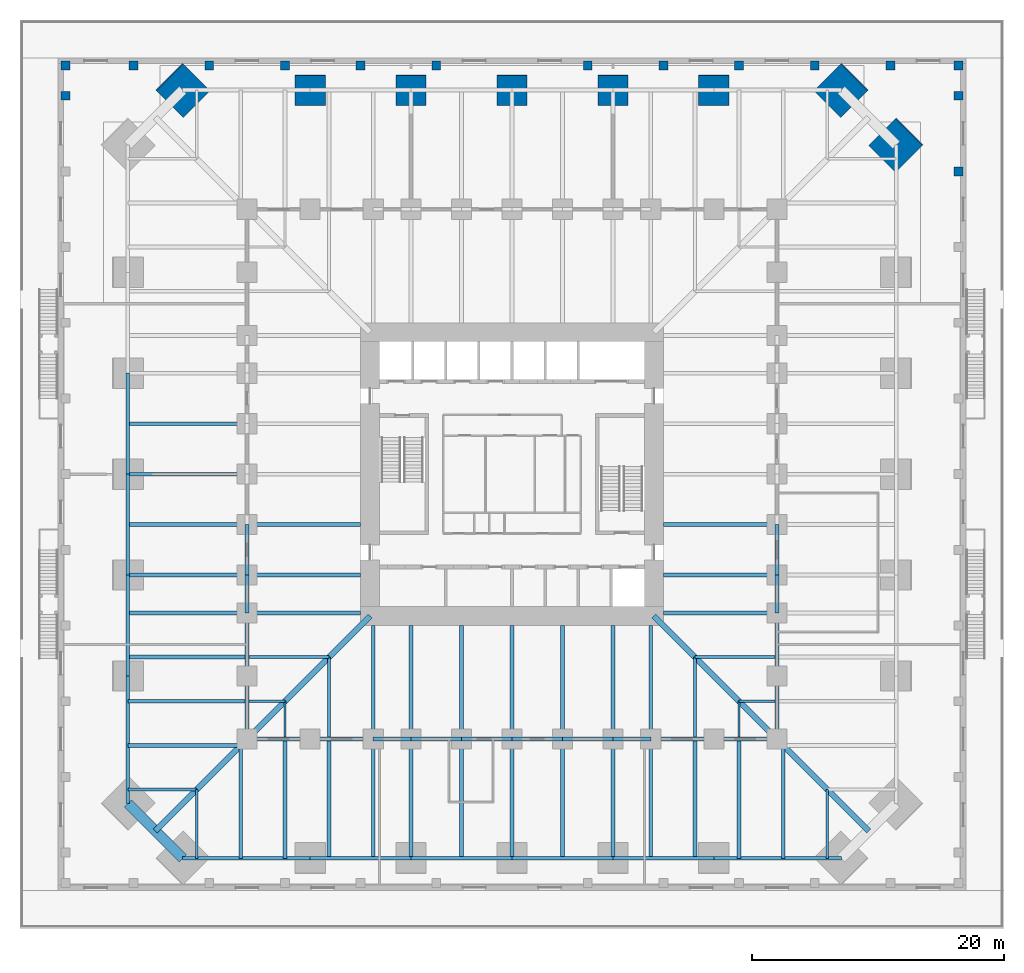
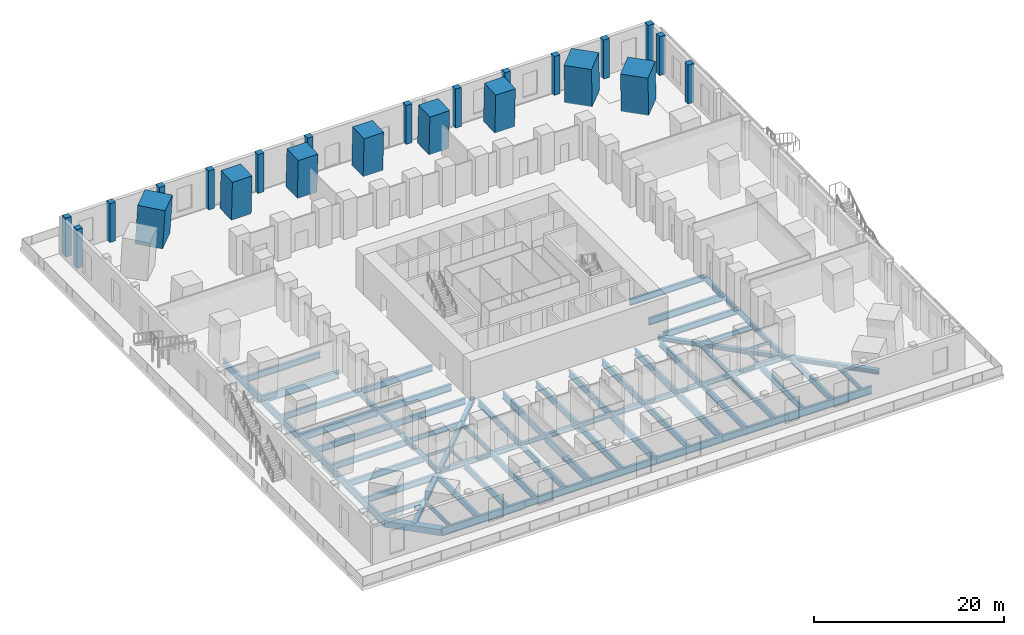
# One storey, part 7 of 20: 78 beams, 23 columns.
"""IFC4 building model written with IfcOpenShell, lengths in metres."""

from ifc_helpers import new_model, si_unit, direction, frame, origin, origin_2d, place, context, subcontext, project, spatial, rectangle, hollow_rectangle, i_section, extrude, material, material_profile, profile_set, type_object, element, save


model = new_model("IFC4")

# Units and contexts
model_context = context("Model", 3, precision=1e-05, world=origin(), true_north=direction((0.0, 1.0)))
body_context = subcontext(model_context, "Body", "Model", "MODEL_VIEW")
ifc_project = project(units=[si_unit("LENGTHUNIT", "METRE"), si_unit("AREAUNIT", "SQUARE_METRE"), si_unit("VOLUMEUNIT", "CUBIC_METRE"), si_unit("PLANEANGLEUNIT", "RADIAN"), si_unit("MASSUNIT", "GRAM", prefix="KILO")], contexts=[model_context])

# Site, building, storey
site_placement = place(None, origin())
site = spatial("IfcSite", under=ifc_project, at=site_placement, CompositionType="ELEMENT")
building_placement = place(site_placement, origin())
building = spatial("IfcBuilding", under=site, at=building_placement, Name="Peilmerk Tower", CompositionType="ELEMENT")
storey_placement = place(building_placement, frame((0.0, 0.0, 11.0)))
storey = spatial("IfcBuildingStorey", under=building, at=storey_placement, Name="L02", CompositionType="ELEMENT", Elevation=11.0)

# Columns
ifc_material_1 = material(Name="Concrete C90/105", Category="concrete")
ifc_material_profile_1 = material_profile(ifc_material_1, rectangle(XDim=3.0, YDim=3.0, at=origin_2d()), Name="RC 3000x3000")
ifc_profile_set_1 = profile_set([ifc_material_profile_1], Name="Concrete C90/105")
column_type_1 = type_object("IfcColumnType", Name="MC1 3000x3000 encased mega column", PredefinedType="COLUMN", material=ifc_profile_set_1)
for number, where, z_axis, x_axis, name in (
    (1, (26.103271484375, 30.453125, 0.0), (-0.040266662877, -0.04021791389, 0.998379244207), (0.706678361564, -0.707534941396, 0.0), "Mega column MC1 NE_N L02"),
    (2, (30.453125, 26.103271484375, 0.0), (-0.04021791389, -0.040266662877, 0.998379244207), (0.707534941396, -0.706678361564, 0.0), "Mega column MC1 NE_E L02"),
    (3, (-26.103271484375, 30.453125, 0.0), (0.040266662877, -0.04021791389, 0.998379244207), (0.706678361564, 0.707534941396, 0.0), "Mega column MC1 NW_N L02"),
):
    element("IfcColumn", number, at=place(storey_placement, frame(where, z_axis=z_axis, x_axis=x_axis)), inside=storey, type_object=column_type_1, Name=name, PredefinedType="COLUMN", context=body_context, shape_type="SweptSolid", body=[
        extrude(rectangle(XDim=3.0, YDim=3.0, at=origin_2d()), origin(), (0.0, 0.0, 1.0), 5.008056640625),
    ])
ifc_material_2 = material(Name="Concrete C55/67", Category="concrete")
ifc_material_profile_2 = material_profile(ifc_material_2, rectangle(XDim=0.699951171875, YDim=0.699951171875, at=origin_2d()), Name="RC 700x700")
ifc_profile_set_2 = profile_set([ifc_material_profile_2], Name="Concrete C55/67")
column_type_2 = type_object("IfcColumnType", Name="PC1 700x700 podium column", PredefinedType="COLUMN", material=ifc_profile_set_2)
for number, where, z_axis, x_axis, name in (
    (4, (-35.39990234375, 30.0, 0.0), (0.0, 0.0, 1.0), (1.0, 0.0, 0.0), "Podium column ring A L02"),
    (5, (-35.39990234375, 32.39990234375, 0.0), (0.0, 0.0, 1.0), (1.0, 0.0, 0.0), "Podium column ring A L02"),
    (6, (-30.0, 32.39990234375, 0.0), (0.0, 0.0, 1.0), (1.0, 0.0, 0.0), "Podium column ring A L02"),
    (7, (-24.0, 32.39990234375, 0.0), (0.0, 0.0, 1.0), (1.0, 0.0, 0.0), "Podium column ring A L02"),
    (8, (-18.0, 32.39990234375, 0.0), (0.0, 0.0, 1.0), (1.0, 0.0, 0.0), "Podium column ring A L02"),
    (9, (-12.0, 32.39990234375, 0.0), (0.0, 0.0, 1.0), (1.0, 0.0, 0.0), "Podium column ring A L02"),
    (10, (-6.0, 32.39990234375, 0.0), (0.0, 0.0, 1.0), (1.0, 0.0, 0.0), "Podium column ring A L02"),
    (11, (6.0, 32.39990234375, 0.0), (0.0, 0.0, 1.0), (1.0, 0.0, 0.0), "Podium column ring A L02"),
    (12, (12.0, 32.39990234375, 0.0), (0.0, 0.0, 1.0), (1.0, 0.0, 0.0), "Podium column ring A L02"),
    (13, (18.0, 32.39990234375, 0.0), (0.0, 0.0, 1.0), (1.0, 0.0, 0.0), "Podium column ring A L02"),
    (14, (24.0, 32.39990234375, 0.0), (0.0, 0.0, 1.0), (1.0, 0.0, 0.0), "Podium column ring A L02"),
    (15, (30.0, 32.39990234375, 0.0), (0.0, 0.0, 1.0), (1.0, 0.0, 0.0), "Podium column ring A L02"),
    (16, (35.39990234375, 24.0, 0.0), (0.0, 0.0, 1.0), (1.0, 0.0, 0.0), "Podium column ring A L02"),
    (17, (35.39990234375, 30.0, 0.0), (0.0, 0.0, 1.0), (1.0, 0.0, 0.0), "Podium column ring A L02"),
    (18, (35.39990234375, 32.39990234375, 0.0), (0.0, 0.0, 1.0), (1.0, 0.0, 0.0), "Podium column ring A L02"),
):
    element("IfcColumn", number, at=place(storey_placement, frame(where, z_axis=z_axis, x_axis=x_axis)), inside=storey, type_object=column_type_2, Name=name, PredefinedType="COLUMN", context=body_context, shape_type="SweptSolid", body=[
        extrude(rectangle(XDim=0.699951171875, YDim=0.699951171875, at=origin_2d()), origin(), (0.0, 0.0, 1.0), 5.0),
    ])
ifc_material_profile_3 = material_profile(ifc_material_1, rectangle(XDim=2.39990234375, YDim=2.39990234375, at=origin_2d()), Name="RC 2400x2400")
ifc_profile_set_3 = profile_set([ifc_material_profile_3], Name="Concrete C90/105")
column_type_3 = type_object("IfcColumnType", Name="SC1 2400x2400 encased perimeter column", PredefinedType="COLUMN", material=ifc_profile_set_3)
for number, where, z_axis, x_axis, name in (
    (19, (0.0, 30.453125, 0.0), (0.0, -0.040250558339, 0.999189617917), (1.0, 0.0, 0.0), "Perimeter column N+0 L02"),
    (20, (8.0, 30.453125, 0.0), (0.0, -0.040250558339, 0.999189617917), (1.0, 0.0, 0.0), "Perimeter column N-8 L02"),
    (21, (-8.0, 30.453125, 0.0), (0.0, -0.040250558339, 0.999189617917), (1.0, 0.0, 0.0), "Perimeter column N+8 L02"),
    (22, (16.0, 30.453125, 0.0), (0.0, -0.040250558339, 0.999189617917), (1.0, 0.0, 0.0), "Perimeter column N-16 L02"),
    (23, (-16.0, 30.453125, 0.0), (0.0, -0.040250558339, 0.999189617917), (1.0, 0.0, 0.0), "Perimeter column N+16 L02"),
):
    element("IfcColumn", number, at=place(storey_placement, frame(where, z_axis=z_axis, x_axis=x_axis)), inside=storey, type_object=column_type_3, Name=name, PredefinedType="COLUMN", context=body_context, shape_type="SweptSolid", body=[
        extrude(rectangle(XDim=2.39990234375, YDim=2.39990234375, at=origin_2d()), origin(), (0.0, 0.0, 1.0), 5.004150390625),
    ])

# Beams
ifc_material_3 = material(Name="Steel S355", Category="steel")
ifc_material_profile_4 = material_profile(ifc_material_3, i_section(OverallWidth=0.219970703125, OverallDepth=0.60009765625, WebThickness=0.011962890625, FlangeThickness=0.01904296875, at=origin_2d()), Name="IPE 600")
ifc_profile_set_4 = profile_set([ifc_material_profile_4], Name="Steel S355")
beam_type_1 = type_object("IfcBeamType", Name="B10 IPE 600 floor beam", PredefinedType="BEAM", material=ifc_profile_set_4)
for number, where, z_axis, x_axis, name in (
    (24, (14.5, -14.5, -0.5), (0.0, -1.0, 0.0), (1.0, 0.0, 0.0), "Floor beam L02"),
    (25, (14.5, -14.5, -0.5), (1.0, 0.0, 0.0), (0.0, 1.0, 0.0), "Floor beam L02"),
    (26, (-14.5, -14.5, -0.5), (0.0, -1.0, 0.0), (1.0, 0.0, 0.0), "Floor beam L02"),
    (27, (-14.5, -14.5, -0.5), (-1.0, 0.0, 0.0), (0.0, -1.0, 0.0), "Floor beam L02"),
):
    element("IfcBeam", number, at=place(storey_placement, frame(where, z_axis=z_axis, x_axis=x_axis)), inside=storey, type_object=beam_type_1, Name=name, PredefinedType="BEAM", context=body_context, shape_type="SweptSolid", body=[
        extrude(i_section(OverallWidth=0.219970703125, OverallDepth=0.60009765625, WebThickness=0.011962890625, FlangeThickness=0.01904296875, at=origin_2d()), origin(), (0.0, 0.0, 1.0), 6.347412109375),
    ])
ifc_material_profile_5 = material_profile(ifc_material_3, i_section(OverallWidth=0.169921875, OverallDepth=0.360107421875, WebThickness=0.008056640625, FlangeThickness=0.0126953125, at=origin_2d()), Name="IPE 360")
ifc_profile_set_5 = profile_set([ifc_material_profile_5], Name="Steel S355")
beam_type_2 = type_object("IfcBeamType", Name="B11 IPE 360 floor beam", PredefinedType="BEAM", material=ifc_profile_set_5)
for number, where, z_axis, x_axis, name in (
    (28, (18.0, -18.0, -0.3798828125), (0.0, -1.0, 0.0), (1.0, 0.0, 0.0), "Floor beam L02"),
    (29, (18.0, -18.0, -0.3798828125), (1.0, 0.0, 0.0), (0.0, 1.0, 0.0), "Floor beam L02"),
    (30, (-18.0, -18.0, -0.3798828125), (0.0, -1.0, 0.0), (1.0, 0.0, 0.0), "Floor beam L02"),
    (31, (-18.0, -18.0, -0.3798828125), (-1.0, 0.0, 0.0), (0.0, -1.0, 0.0), "Floor beam L02"),
):
    element("IfcBeam", number, at=place(storey_placement, frame(where, z_axis=z_axis, x_axis=x_axis)), inside=storey, type_object=beam_type_2, Name=name, PredefinedType="BEAM", context=body_context, shape_type="SweptSolid", body=[
        extrude(i_section(OverallWidth=0.169921875, OverallDepth=0.360107421875, WebThickness=0.008056640625, FlangeThickness=0.0126953125, at=origin_2d()), origin(), (0.0, 0.0, 1.0), 2.847412109375),
    ])
ifc_material_profile_6 = material_profile(ifc_material_3, i_section(OverallWidth=0.2099609375, OverallDepth=0.550048828125, WebThickness=0.010986328125, FlangeThickness=0.01708984375, at=origin_2d()), Name="IPE 550")
ifc_profile_set_6 = profile_set([ifc_material_profile_6], Name="Steel S355")
beam_type_3 = type_object("IfcBeamType", Name="B12 IPE 550 floor beam", PredefinedType="BEAM", material=ifc_profile_set_6)
for number, where, z_axis, x_axis, name in (
    (32, (25.0, -25.0, -0.47509765625), (0.0, -1.0, 0.0), (1.0, 0.0, 0.0), "Floor beam L02"),
    (33, (-25.0, -25.0, -0.47509765625), (0.0, -1.0, 0.0), (1.0, 0.0, 0.0), "Floor beam L02"),
    (34, (-25.0, -25.0, -0.47509765625), (-1.0, 0.0, 0.0), (0.0, -1.0, 0.0), "Floor beam L02"),
):
    element("IfcBeam", number, at=place(storey_placement, frame(where, z_axis=z_axis, x_axis=x_axis)), inside=storey, type_object=beam_type_3, Name=name, PredefinedType="BEAM", context=body_context, shape_type="SweptSolid", body=[
        extrude(i_section(OverallWidth=0.2099609375, OverallDepth=0.550048828125, WebThickness=0.010986328125, FlangeThickness=0.01708984375, at=origin_2d()), origin(), (0.0, 0.0, 1.0), 5.453125),
    ])
ifc_material_profile_7 = material_profile(ifc_material_3, i_section(OverallWidth=0.300048828125, OverallDepth=1.0, WebThickness=0.01904296875, FlangeThickness=0.035888671875, at=origin_2d()), Name="HEB 1000")
ifc_profile_set_7 = profile_set([ifc_material_profile_7], Name="Steel S355")
beam_type_4 = type_object("IfcBeamType", Name="B13 HEB 1000 edge beam", PredefinedType="SPANDREL", material=ifc_profile_set_7)
for number, where, z_axis, x_axis, name in (
    (35, (-26.103271484375, -30.453125, -0.699951171875), (1.0, 0.0, 0.0), (0.0, 1.0, 0.0), "Edge beam L02"),
    (36, (16.0, -30.453125, -0.699951171875), (1.0, 0.0, 0.0), (0.0, 1.0, 0.0), "Edge beam L02"),
    (37, (-30.453125, -16.0, -0.699951171875), (0.0, -1.0, 0.0), (1.0, 0.0, 0.0), "Edge beam L02"),
):
    element("IfcBeam", number, at=place(storey_placement, frame(where, z_axis=z_axis, x_axis=x_axis)), inside=storey, type_object=beam_type_4, Name=name, PredefinedType="SPANDREL", context=body_context, shape_type="SweptSolid", body=[
        extrude(i_section(OverallWidth=0.300048828125, OverallDepth=1.0, WebThickness=0.01904296875, FlangeThickness=0.035888671875, at=origin_2d()), origin(), (0.0, 0.0, 1.0), 10.103271484375),
    ])
ifc_material_profile_8 = material_profile(ifc_material_3, i_section(OverallWidth=0.300048828125, OverallDepth=0.989990234375, WebThickness=0.0166015625, FlangeThickness=0.031005859375, at=origin_2d()), Name="HEA 1000")
ifc_profile_set_8 = profile_set([ifc_material_profile_8], Name="Steel S355")
beam_type_5 = type_object("IfcBeamType", Name="B14 HEA 1000 floor girder", PredefinedType="BEAM", material=ifc_profile_set_8)
for number, where, z_axis, x_axis, name in (
    (38, (-8.0, -21.0, -0.695068359375), (0.0, -1.0, 0.0), (1.0, 0.0, 0.0), "Floor girder L02"),
    (39, (0.0, -21.0, -0.695068359375), (0.0, -1.0, 0.0), (1.0, 0.0, 0.0), "Floor girder L02"),
    (40, (8.0, -21.0, -0.695068359375), (0.0, -1.0, 0.0), (1.0, 0.0, 0.0), "Floor girder L02"),
    (41, (-21.0, 0.0, -0.695068359375), (-1.0, 0.0, 0.0), (0.0, -1.0, 0.0), "Floor girder L02"),
    (42, (-21.0, -8.0, -0.695068359375), (-1.0, 0.0, 0.0), (0.0, -1.0, 0.0), "Floor girder L02"),
):
    element("IfcBeam", number, at=place(storey_placement, frame(where, z_axis=z_axis, x_axis=x_axis)), inside=storey, type_object=beam_type_5, Name=name, PredefinedType="BEAM", context=body_context, shape_type="SweptSolid", body=[
        extrude(i_section(OverallWidth=0.300048828125, OverallDepth=0.989990234375, WebThickness=0.0166015625, FlangeThickness=0.031005859375, at=origin_2d()), origin(), (0.0, 0.0, 1.0), 9.453125),
    ])
ifc_material_profile_9 = material_profile(ifc_material_3, i_section(OverallWidth=0.302001953125, OverallDepth=0.909912109375, WebThickness=0.02099609375, FlangeThickness=0.0400390625, at=origin_2d()), Name="HEM 900")
ifc_profile_set_9 = profile_set([ifc_material_profile_9], Name="Steel S355")
beam_type_6 = type_object("IfcBeamType", Name="B2 HEM 900 edge beam", PredefinedType="SPANDREL", material=ifc_profile_set_9)
for number, where, z_axis, x_axis, name in (
    (43, (-16.0, -30.453125, -0.655029296875), (1.0, 0.0, 0.0), (0.0, 1.0, 0.0), "Edge beam L02"),
    (44, (-8.0, -30.453125, -0.655029296875), (1.0, 0.0, 0.0), (0.0, 1.0, 0.0), "Edge beam L02"),
    (45, (0.0, -30.453125, -0.655029296875), (1.0, 0.0, 0.0), (0.0, 1.0, 0.0), "Edge beam L02"),
    (46, (8.0, -30.453125, -0.655029296875), (1.0, 0.0, 0.0), (0.0, 1.0, 0.0), "Edge beam L02"),
    (47, (-30.453125, 8.0, -0.655029296875), (0.0, -1.0, 0.0), (1.0, 0.0, 0.0), "Edge beam L02"),
    (48, (-30.453125, 0.0, -0.655029296875), (0.0, -1.0, 0.0), (1.0, 0.0, 0.0), "Edge beam L02"),
    (49, (-30.453125, -8.0, -0.655029296875), (0.0, -1.0, 0.0), (1.0, 0.0, 0.0), "Edge beam L02"),
):
    element("IfcBeam", number, at=place(storey_placement, frame(where, z_axis=z_axis, x_axis=x_axis)), inside=storey, type_object=beam_type_6, Name=name, PredefinedType="SPANDREL", context=body_context, shape_type="SweptSolid", body=[
        extrude(i_section(OverallWidth=0.302001953125, OverallDepth=0.909912109375, WebThickness=0.02099609375, FlangeThickness=0.0400390625, at=origin_2d()), origin(), (0.0, 0.0, 1.0), 8.0),
    ])
ifc_material_profile_10 = material_profile(ifc_material_3, i_section(OverallWidth=0.300048828125, OverallDepth=0.7900390625, WebThickness=0.014892578125, FlangeThickness=0.028076171875, at=origin_2d()), Name="HEA 800")
ifc_profile_set_10 = profile_set([ifc_material_profile_10], Name="Steel S355")
beam_type_7 = type_object("IfcBeamType", Name="B3 HEA 800 floor beam", PredefinedType="BEAM", material=ifc_profile_set_10)
for number, where, z_axis, x_axis, name in (
    (50, (12.0, -11.0, -0.594970703125), (1.0, 0.0, 0.0), (0.0, 1.0, 0.0), "Floor beam L02"),
    (51, (12.0, -4.0, -0.594970703125), (1.0, 0.0, 0.0), (0.0, 1.0, 0.0), "Floor beam L02"),
    (52, (-11.0, -12.0, -0.594970703125), (0.0, -1.0, 0.0), (1.0, 0.0, 0.0), "Floor beam L02"),
):
    element("IfcBeam", number, at=place(storey_placement, frame(where, z_axis=z_axis, x_axis=x_axis)), inside=storey, type_object=beam_type_7, Name=name, PredefinedType="BEAM", context=body_context, shape_type="SweptSolid", body=[
        extrude(i_section(OverallWidth=0.300048828125, OverallDepth=0.7900390625, WebThickness=0.014892578125, FlangeThickness=0.028076171875, at=origin_2d()), origin(), (0.0, 0.0, 1.0), 9.0),
    ])
beam_1_placement = place(storey_placement, frame((-11.0, -21.0, -0.594970703125), z_axis=(0.0, -1.0, 0.0), x_axis=(1.0, 0.0, 0.0)))
element("IfcBeam", 53, at=beam_1_placement, inside=storey, type_object=beam_type_7, Name="Floor beam L02", PredefinedType="BEAM", context=body_context, shape_type="SweptSolid", body=[
    extrude(i_section(OverallWidth=0.300048828125, OverallDepth=0.7900390625, WebThickness=0.014892578125, FlangeThickness=0.028076171875, at=origin_2d()), origin(), (0.0, 0.0, 1.0), 9.453125),
])
beam_2_placement = place(storey_placement, frame((-4.0, -12.0, -0.594970703125), z_axis=(0.0, -1.0, 0.0), x_axis=(1.0, 0.0, 0.0)))
element("IfcBeam", 54, at=beam_2_placement, inside=storey, type_object=beam_type_7, Name="Floor beam L02", PredefinedType="BEAM", context=body_context, shape_type="SweptSolid", body=[
    extrude(i_section(OverallWidth=0.300048828125, OverallDepth=0.7900390625, WebThickness=0.014892578125, FlangeThickness=0.028076171875, at=origin_2d()), origin(), (0.0, 0.0, 1.0), 9.0),
])
beam_3_placement = place(storey_placement, frame((-4.0, -21.0, -0.594970703125), z_axis=(0.0, -1.0, 0.0), x_axis=(1.0, 0.0, 0.0)))
element("IfcBeam", 55, at=beam_3_placement, inside=storey, type_object=beam_type_7, Name="Floor beam L02", PredefinedType="BEAM", context=body_context, shape_type="SweptSolid", body=[
    extrude(i_section(OverallWidth=0.300048828125, OverallDepth=0.7900390625, WebThickness=0.014892578125, FlangeThickness=0.028076171875, at=origin_2d()), origin(), (0.0, 0.0, 1.0), 9.453125),
])
beam_4_placement = place(storey_placement, frame((4.0, -12.0, -0.594970703125), z_axis=(0.0, -1.0, 0.0), x_axis=(1.0, 0.0, 0.0)))
element("IfcBeam", 56, at=beam_4_placement, inside=storey, type_object=beam_type_7, Name="Floor beam L02", PredefinedType="BEAM", context=body_context, shape_type="SweptSolid", body=[
    extrude(i_section(OverallWidth=0.300048828125, OverallDepth=0.7900390625, WebThickness=0.014892578125, FlangeThickness=0.028076171875, at=origin_2d()), origin(), (0.0, 0.0, 1.0), 9.0),
])
beam_5_placement = place(storey_placement, frame((4.0, -21.0, -0.594970703125), z_axis=(0.0, -1.0, 0.0), x_axis=(1.0, 0.0, 0.0)))
element("IfcBeam", 57, at=beam_5_placement, inside=storey, type_object=beam_type_7, Name="Floor beam L02", PredefinedType="BEAM", context=body_context, shape_type="SweptSolid", body=[
    extrude(i_section(OverallWidth=0.300048828125, OverallDepth=0.7900390625, WebThickness=0.014892578125, FlangeThickness=0.028076171875, at=origin_2d()), origin(), (0.0, 0.0, 1.0), 9.453125),
])
beam_6_placement = place(storey_placement, frame((11.0, -12.0, -0.594970703125), z_axis=(0.0, -1.0, 0.0), x_axis=(1.0, 0.0, 0.0)))
element("IfcBeam", 58, at=beam_6_placement, inside=storey, type_object=beam_type_7, Name="Floor beam L02", PredefinedType="BEAM", context=body_context, shape_type="SweptSolid", body=[
    extrude(i_section(OverallWidth=0.300048828125, OverallDepth=0.7900390625, WebThickness=0.014892578125, FlangeThickness=0.028076171875, at=origin_2d()), origin(), (0.0, 0.0, 1.0), 9.0),
])
for number, where, z_axis, x_axis, name in (
    (59, (11.0, -21.0, -0.594970703125), (0.0, -1.0, 0.0), (1.0, 0.0, 0.0), "Floor beam L02"),
    (60, (-21.0, 4.0, -0.594970703125), (-1.0, 0.0, 0.0), (0.0, -1.0, 0.0), "Floor beam L02"),
):
    element("IfcBeam", number, at=place(storey_placement, frame(where, z_axis=z_axis, x_axis=x_axis)), inside=storey, type_object=beam_type_7, Name=name, PredefinedType="BEAM", context=body_context, shape_type="SweptSolid", body=[
        extrude(i_section(OverallWidth=0.300048828125, OverallDepth=0.7900390625, WebThickness=0.014892578125, FlangeThickness=0.028076171875, at=origin_2d()), origin(), (0.0, 0.0, 1.0), 9.453125),
    ])
beam_7_placement = place(storey_placement, frame((-12.0, -4.0, -0.594970703125), z_axis=(-1.0, 0.0, 0.0), x_axis=(0.0, -1.0, 0.0)))
element("IfcBeam", 61, at=beam_7_placement, inside=storey, type_object=beam_type_7, Name="Floor beam L02", PredefinedType="BEAM", context=body_context, shape_type="SweptSolid", body=[
    extrude(i_section(OverallWidth=0.300048828125, OverallDepth=0.7900390625, WebThickness=0.014892578125, FlangeThickness=0.028076171875, at=origin_2d()), origin(), (0.0, 0.0, 1.0), 9.0),
])
beam_8_placement = place(storey_placement, frame((-21.0, -4.0, -0.594970703125), z_axis=(-1.0, 0.0, 0.0), x_axis=(0.0, -1.0, 0.0)))
element("IfcBeam", 62, at=beam_8_placement, inside=storey, type_object=beam_type_7, Name="Floor beam L02", PredefinedType="BEAM", context=body_context, shape_type="SweptSolid", body=[
    extrude(i_section(OverallWidth=0.300048828125, OverallDepth=0.7900390625, WebThickness=0.014892578125, FlangeThickness=0.028076171875, at=origin_2d()), origin(), (0.0, 0.0, 1.0), 9.453125),
])
beam_9_placement = place(storey_placement, frame((-12.0, -11.0, -0.594970703125), z_axis=(-1.0, 0.0, 0.0), x_axis=(0.0, -1.0, 0.0)))
element("IfcBeam", 63, at=beam_9_placement, inside=storey, type_object=beam_type_7, Name="Floor beam L02", PredefinedType="BEAM", context=body_context, shape_type="SweptSolid", body=[
    extrude(i_section(OverallWidth=0.300048828125, OverallDepth=0.7900390625, WebThickness=0.014892578125, FlangeThickness=0.028076171875, at=origin_2d()), origin(), (0.0, 0.0, 1.0), 9.0),
])
beam_10_placement = place(storey_placement, frame((-21.0, -11.0, -0.594970703125), z_axis=(-1.0, 0.0, 0.0), x_axis=(0.0, -1.0, 0.0)))
element("IfcBeam", 64, at=beam_10_placement, inside=storey, type_object=beam_type_7, Name="Floor beam L02", PredefinedType="BEAM", context=body_context, shape_type="SweptSolid", body=[
    extrude(i_section(OverallWidth=0.300048828125, OverallDepth=0.7900390625, WebThickness=0.014892578125, FlangeThickness=0.028076171875, at=origin_2d()), origin(), (0.0, 0.0, 1.0), 9.453125),
])
for number, where, z_axis, x_axis, name in (
    (65, (14.5, -21.152587890625, -0.594970703125), (0.0, -1.0, 0.0), (1.0, 0.0, 0.0), "Floor beam L02"),
    (66, (18.0, -21.152587890625, -0.594970703125), (0.0, -1.0, 0.0), (1.0, 0.0, 0.0), "Floor beam L02"),
):
    element("IfcBeam", number, at=place(storey_placement, frame(where, z_axis=z_axis, x_axis=x_axis)), inside=storey, type_object=beam_type_7, Name=name, PredefinedType="BEAM", context=body_context, shape_type="SweptSolid", body=[
        extrude(i_section(OverallWidth=0.300048828125, OverallDepth=0.7900390625, WebThickness=0.014892578125, FlangeThickness=0.028076171875, at=origin_2d()), origin(), (0.0, 0.0, 1.0), 9.300537109375),
    ])
beam_11_placement = place(storey_placement, frame((21.5, -21.5, -0.594970703125), z_axis=(0.0, -1.0, 0.0), x_axis=(1.0, 0.0, 0.0)))
element("IfcBeam", 67, at=beam_11_placement, inside=storey, type_object=beam_type_7, Name="Floor beam L02", PredefinedType="BEAM", context=body_context, shape_type="SweptSolid", body=[
    extrude(i_section(OverallWidth=0.300048828125, OverallDepth=0.7900390625, WebThickness=0.014892578125, FlangeThickness=0.028076171875, at=origin_2d()), origin(), (0.0, 0.0, 1.0), 8.953125),
])
for number, where, z_axis, x_axis, name in (
    (68, (-14.5, -21.152587890625, -0.594970703125), (0.0, -1.0, 0.0), (1.0, 0.0, 0.0), "Floor beam L02"),
    (69, (-21.152587890625, -14.5, -0.594970703125), (-1.0, 0.0, 0.0), (0.0, -1.0, 0.0), "Floor beam L02"),
    (70, (-18.0, -21.152587890625, -0.594970703125), (0.0, -1.0, 0.0), (1.0, 0.0, 0.0), "Floor beam L02"),
    (71, (-21.152587890625, -18.0, -0.594970703125), (-1.0, 0.0, 0.0), (0.0, -1.0, 0.0), "Floor beam L02"),
):
    element("IfcBeam", number, at=place(storey_placement, frame(where, z_axis=z_axis, x_axis=x_axis)), inside=storey, type_object=beam_type_7, Name=name, PredefinedType="BEAM", context=body_context, shape_type="SweptSolid", body=[
        extrude(i_section(OverallWidth=0.300048828125, OverallDepth=0.7900390625, WebThickness=0.014892578125, FlangeThickness=0.028076171875, at=origin_2d()), origin(), (0.0, 0.0, 1.0), 9.300537109375),
    ])
for number, where, z_axis, x_axis, name in (
    (72, (-21.5, -21.5, -0.594970703125), (0.0, -1.0, 0.0), (1.0, 0.0, 0.0), "Floor beam L02"),
    (73, (-21.5, -21.5, -0.594970703125), (-1.0, 0.0, 0.0), (0.0, -1.0, 0.0), "Floor beam L02"),
):
    element("IfcBeam", number, at=place(storey_placement, frame(where, z_axis=z_axis, x_axis=x_axis)), inside=storey, type_object=beam_type_7, Name=name, PredefinedType="BEAM", context=body_context, shape_type="SweptSolid", body=[
        extrude(i_section(OverallWidth=0.300048828125, OverallDepth=0.7900390625, WebThickness=0.014892578125, FlangeThickness=0.028076171875, at=origin_2d()), origin(), (0.0, 0.0, 1.0), 8.953125),
    ])
ifc_material_profile_11 = material_profile(ifc_material_3, i_section(OverallWidth=0.300048828125, OverallDepth=0.889892578125, WebThickness=0.01611328125, FlangeThickness=0.030029296875, at=origin_2d()), Name="HEA 900")
ifc_profile_set_11 = profile_set([ifc_material_profile_11], Name="Steel S355")
beam_type_8 = type_object("IfcBeamType", Name="B4 HEA 900 floor beam", PredefinedType="BEAM", material=ifc_profile_set_11)
for number, where, z_axis, x_axis, name in (
    (74, (12.0, -8.0, -0.64501953125), (1.0, 0.0, 0.0), (0.0, 1.0, 0.0), "Floor girder L02"),
    (75, (-8.0, -12.0, -0.64501953125), (0.0, -1.0, 0.0), (1.0, 0.0, 0.0), "Floor girder L02"),
    (76, (0.0, -12.0, -0.64501953125), (0.0, -1.0, 0.0), (1.0, 0.0, 0.0), "Floor girder L02"),
    (77, (8.0, -12.0, -0.64501953125), (0.0, -1.0, 0.0), (1.0, 0.0, 0.0), "Floor girder L02"),
    (78, (-12.0, -8.0, -0.64501953125), (-1.0, 0.0, 0.0), (0.0, -1.0, 0.0), "Floor girder L02"),
):
    element("IfcBeam", number, at=place(storey_placement, frame(where, z_axis=z_axis, x_axis=x_axis)), inside=storey, type_object=beam_type_8, Name=name, PredefinedType="BEAM", context=body_context, shape_type="SweptSolid", body=[
        extrude(i_section(OverallWidth=0.300048828125, OverallDepth=0.889892578125, WebThickness=0.01611328125, FlangeThickness=0.030029296875, at=origin_2d()), origin(), (0.0, 0.0, 1.0), 9.0),
    ])
ifc_material_profile_12 = material_profile(ifc_material_3, i_section(OverallWidth=0.304931640625, OverallDepth=0.6201171875, WebThickness=0.02099609375, FlangeThickness=0.0400390625, at=origin_2d()), Name="HEM 600")
ifc_profile_set_12 = profile_set([ifc_material_profile_12], Name="Steel S355")
beam_type_9 = type_object("IfcBeamType", Name="B6 HEM 600 ring girder", PredefinedType="BEAM", material=ifc_profile_set_12)
for number, where, z_axis, x_axis, name in (
    (79, (21.0, -21.0, -0.510009765625), (0.0, 1.0, 0.0), (-1.0, 0.0, 0.0), "Ring girder L02"),
    (80, (21.0, -16.0, -0.510009765625), (0.0, 1.0, 0.0), (-1.0, 0.0, 0.0), "Ring girder L02"),
):
    element("IfcBeam", number, at=place(storey_placement, frame(where, z_axis=z_axis, x_axis=x_axis)), inside=storey, type_object=beam_type_9, Name=name, PredefinedType="BEAM", context=body_context, shape_type="SweptSolid", body=[
        extrude(i_section(OverallWidth=0.304931640625, OverallDepth=0.6201171875, WebThickness=0.02099609375, FlangeThickness=0.0400390625, at=origin_2d()), origin(), (0.0, 0.0, 1.0), 5.0),
    ])
beam_12_placement = place(storey_placement, frame((21.0, -8.0, -0.510009765625), z_axis=(0.0, 1.0, 0.0), x_axis=(-1.0, 0.0, 0.0)))
element("IfcBeam", 81, at=beam_12_placement, inside=storey, type_object=beam_type_9, Name="Ring girder L02", PredefinedType="BEAM", context=body_context, shape_type="SweptSolid", body=[
    extrude(i_section(OverallWidth=0.304931640625, OverallDepth=0.6201171875, WebThickness=0.02099609375, FlangeThickness=0.0400390625, at=origin_2d()), origin(), (0.0, 0.0, 1.0), 4.0),
])
for number, where, z_axis, x_axis, name in (
    (82, (-21.0, -21.0, -0.510009765625), (1.0, 0.0, 0.0), (0.0, 1.0, 0.0), "Ring girder L02"),
    (83, (-16.0, -21.0, -0.510009765625), (1.0, 0.0, 0.0), (0.0, 1.0, 0.0), "Ring girder L02"),
):
    element("IfcBeam", number, at=place(storey_placement, frame(where, z_axis=z_axis, x_axis=x_axis)), inside=storey, type_object=beam_type_9, Name=name, PredefinedType="BEAM", context=body_context, shape_type="SweptSolid", body=[
        extrude(i_section(OverallWidth=0.304931640625, OverallDepth=0.6201171875, WebThickness=0.02099609375, FlangeThickness=0.0400390625, at=origin_2d()), origin(), (0.0, 0.0, 1.0), 5.0),
    ])
for number, where, z_axis, x_axis, name in (
    (84, (-8.0, -21.0, -0.510009765625), (1.0, 0.0, 0.0), (0.0, 1.0, 0.0), "Ring girder L02"),
    (85, (-4.0, -21.0, -0.510009765625), (1.0, 0.0, 0.0), (0.0, 1.0, 0.0), "Ring girder L02"),
    (86, (0.0, -21.0, -0.510009765625), (1.0, 0.0, 0.0), (0.0, 1.0, 0.0), "Ring girder L02"),
    (87, (4.0, -21.0, -0.510009765625), (1.0, 0.0, 0.0), (0.0, 1.0, 0.0), "Ring girder L02"),
):
    element("IfcBeam", number, at=place(storey_placement, frame(where, z_axis=z_axis, x_axis=x_axis)), inside=storey, type_object=beam_type_9, Name=name, PredefinedType="BEAM", context=body_context, shape_type="SweptSolid", body=[
        extrude(i_section(OverallWidth=0.304931640625, OverallDepth=0.6201171875, WebThickness=0.02099609375, FlangeThickness=0.0400390625, at=origin_2d()), origin(), (0.0, 0.0, 1.0), 4.0),
    ])
for number, where, z_axis, x_axis, name in (
    (88, (11.0, -21.0, -0.510009765625), (1.0, 0.0, 0.0), (0.0, 1.0, 0.0), "Ring girder L02"),
    (89, (16.0, -21.0, -0.510009765625), (1.0, 0.0, 0.0), (0.0, 1.0, 0.0), "Ring girder L02"),
):
    element("IfcBeam", number, at=place(storey_placement, frame(where, z_axis=z_axis, x_axis=x_axis)), inside=storey, type_object=beam_type_9, Name=name, PredefinedType="BEAM", context=body_context, shape_type="SweptSolid", body=[
        extrude(i_section(OverallWidth=0.304931640625, OverallDepth=0.6201171875, WebThickness=0.02099609375, FlangeThickness=0.0400390625, at=origin_2d()), origin(), (0.0, 0.0, 1.0), 5.0),
    ])
beam_13_placement = place(storey_placement, frame((-21.0, -4.0, -0.510009765625), z_axis=(0.0, -1.0, 0.0), x_axis=(1.0, 0.0, 0.0)))
element("IfcBeam", 90, at=beam_13_placement, inside=storey, type_object=beam_type_9, Name="Ring girder L02", PredefinedType="BEAM", context=body_context, shape_type="SweptSolid", body=[
    extrude(i_section(OverallWidth=0.304931640625, OverallDepth=0.6201171875, WebThickness=0.02099609375, FlangeThickness=0.0400390625, at=origin_2d()), origin(), (0.0, 0.0, 1.0), 4.0),
])
for number, where, z_axis, x_axis, name in (
    (91, (-21.0, -11.0, -0.510009765625), (0.0, -1.0, 0.0), (1.0, 0.0, 0.0), "Ring girder L02"),
    (92, (-21.0, -16.0, -0.510009765625), (0.0, -1.0, 0.0), (1.0, 0.0, 0.0), "Ring girder L02"),
):
    element("IfcBeam", number, at=place(storey_placement, frame(where, z_axis=z_axis, x_axis=x_axis)), inside=storey, type_object=beam_type_9, Name=name, PredefinedType="BEAM", context=body_context, shape_type="SweptSolid", body=[
        extrude(i_section(OverallWidth=0.304931640625, OverallDepth=0.6201171875, WebThickness=0.02099609375, FlangeThickness=0.0400390625, at=origin_2d()), origin(), (0.0, 0.0, 1.0), 5.0),
    ])
ifc_material_profile_13 = material_profile(ifc_material_3, i_section(OverallWidth=0.305908203125, OverallDepth=0.52392578125, WebThickness=0.02099609375, FlangeThickness=0.0400390625, at=origin_2d()), Name="HEM 500")
ifc_profile_set_13 = profile_set([ifc_material_profile_13], Name="Steel S355")
beam_type_10 = type_object("IfcBeamType", Name="B7 HEM 500 ring girder", PredefinedType="BEAM", material=ifc_profile_set_13)
for number, where, z_axis, x_axis, name in (
    (93, (21.0, -11.0, -0.4619140625), (0.0, 1.0, 0.0), (-1.0, 0.0, 0.0), "Ring girder L02"),
    (94, (-11.0, -21.0, -0.4619140625), (1.0, 0.0, 0.0), (0.0, 1.0, 0.0), "Ring girder L02"),
    (95, (8.0, -21.0, -0.4619140625), (1.0, 0.0, 0.0), (0.0, 1.0, 0.0), "Ring girder L02"),
    (96, (-21.0, -8.0, -0.4619140625), (0.0, -1.0, 0.0), (1.0, 0.0, 0.0), "Ring girder L02"),
):
    element("IfcBeam", number, at=place(storey_placement, frame(where, z_axis=z_axis, x_axis=x_axis)), inside=storey, type_object=beam_type_10, Name=name, PredefinedType="BEAM", context=body_context, shape_type="SweptSolid", body=[
        extrude(i_section(OverallWidth=0.305908203125, OverallDepth=0.52392578125, WebThickness=0.02099609375, FlangeThickness=0.0400390625, at=origin_2d()), origin(), (0.0, 0.0, 1.0), 3.0),
    ])
ifc_material_4 = material(Name="Steel S460", Category="steel")
ifc_material_profile_14 = material_profile(ifc_material_4, hollow_rectangle(XDim=0.800048828125, YDim=0.800048828125, WallThickness=0.080078125, at=origin_2d()), Name="BOX 800x800x80")
ifc_profile_set_14 = profile_set([ifc_material_profile_14], Name="Steel S460")
beam_type_11 = type_object("IfcBeamType", Name="B8 BOX 800x800x80 notch beam", PredefinedType="SPANDREL", material=ifc_profile_set_14)
beam_14_placement = place(storey_placement, frame((-26.103271484375, -30.453125, -0.60009765625), z_axis=(-0.707106781187, 0.707106781187, 0.0), x_axis=(-0.707106781187, -0.707106781187, 0.0)))
element("IfcBeam", 97, at=beam_14_placement, inside=storey, type_object=beam_type_11, Name="Notch beam L02", PredefinedType="SPANDREL", context=body_context, shape_type="SweptSolid", body=[
    extrude(hollow_rectangle(XDim=0.800048828125, YDim=0.800048828125, WallThickness=0.080078125, at=origin_2d()), origin(), (0.0, 0.0, 1.0), 6.151611328125),
])
ifc_material_profile_15 = material_profile(ifc_material_4, i_section(OverallWidth=0.4541015625, OverallDepth=0.569091796875, WebThickness=0.077880859375, FlangeThickness=0.125, at=origin_2d()), Name="HD 400x1086")
ifc_profile_set_15 = profile_set([ifc_material_profile_15], Name="Steel S460")
beam_type_12 = type_object("IfcBeamType", Name="B9 HD 400x1086 corner girder", PredefinedType="BEAM", material=ifc_profile_set_15)
beam_15_placement = place(storey_placement, frame((11.25, -11.25, -0.484619140625), z_axis=(0.707106781187, -0.707106781187, 0.0), x_axis=(0.707106781187, 0.707106781187, 0.0)))
element("IfcBeam", 98, at=beam_15_placement, inside=storey, type_object=beam_type_12, Name="Corner girder L02", PredefinedType="BEAM", context=body_context, shape_type="SweptSolid", body=[
    extrude(i_section(OverallWidth=0.4541015625, OverallDepth=0.569091796875, WebThickness=0.077880859375, FlangeThickness=0.125, at=origin_2d()), origin(), (0.0, 0.0, 1.0), 13.78857421875),
])
beam_16_placement = place(storey_placement, frame((21.0, -21.0, -0.484619140625), z_axis=(0.707106781187, -0.707106781187, 0.0), x_axis=(0.707106781187, 0.707106781187, 0.0)))
element("IfcBeam", 99, at=beam_16_placement, inside=storey, type_object=beam_type_12, Name="Corner girder L02", PredefinedType="BEAM", context=body_context, shape_type="SweptSolid", body=[
    extrude(i_section(OverallWidth=0.4541015625, OverallDepth=0.569091796875, WebThickness=0.077880859375, FlangeThickness=0.125, at=origin_2d()), origin(), (0.0, 0.0, 1.0), 10.293212890625),
])
beam_17_placement = place(storey_placement, frame((-11.25, -11.25, -0.484619140625), z_axis=(-0.707106781187, -0.707106781187, 0.0), x_axis=(0.707106781187, -0.707106781187, 0.0)))
element("IfcBeam", 100, at=beam_17_placement, inside=storey, type_object=beam_type_12, Name="Corner girder L02", PredefinedType="BEAM", context=body_context, shape_type="SweptSolid", body=[
    extrude(i_section(OverallWidth=0.4541015625, OverallDepth=0.569091796875, WebThickness=0.077880859375, FlangeThickness=0.125, at=origin_2d()), origin(), (0.0, 0.0, 1.0), 13.78857421875),
])
beam_18_placement = place(storey_placement, frame((-21.0, -21.0, -0.484619140625), z_axis=(-0.707106781187, -0.707106781187, 0.0), x_axis=(0.707106781187, -0.707106781187, 0.0)))
element("IfcBeam", 101, at=beam_18_placement, inside=storey, type_object=beam_type_12, Name="Corner girder L02", PredefinedType="BEAM", context=body_context, shape_type="SweptSolid", body=[
    extrude(i_section(OverallWidth=0.4541015625, OverallDepth=0.569091796875, WebThickness=0.077880859375, FlangeThickness=0.125, at=origin_2d()), origin(), (0.0, 0.0, 1.0), 10.293212890625),
])

save(model, "model.ifc")
